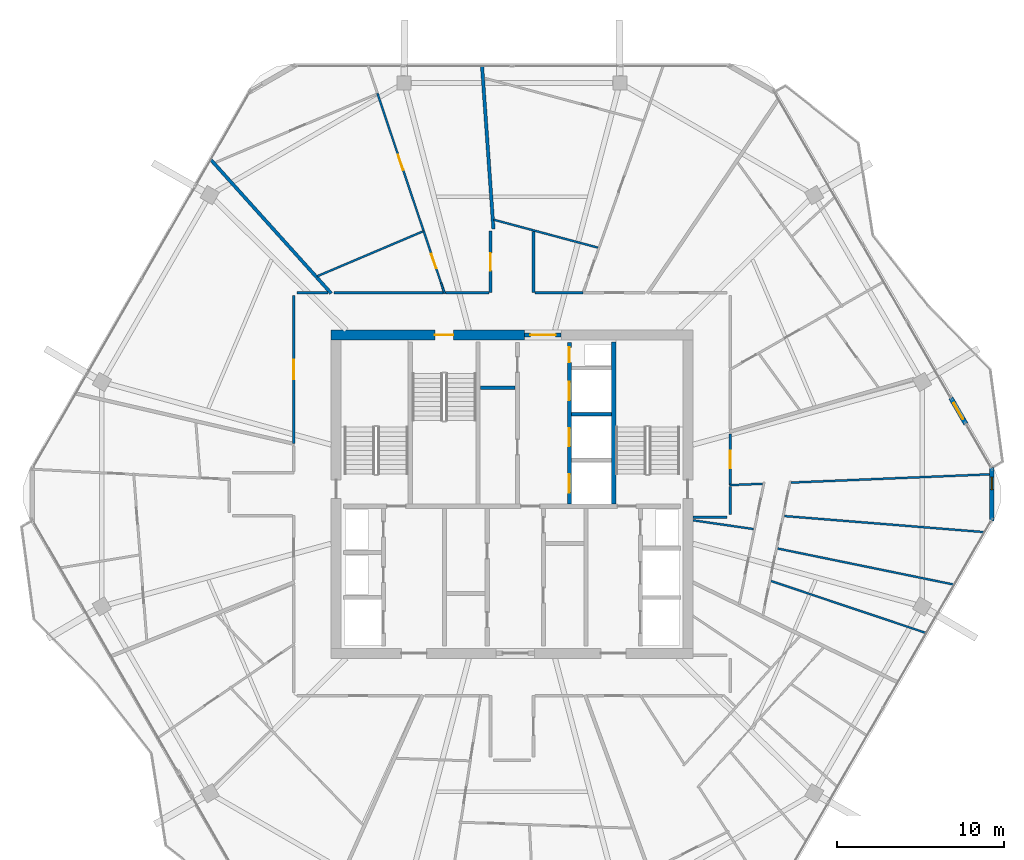
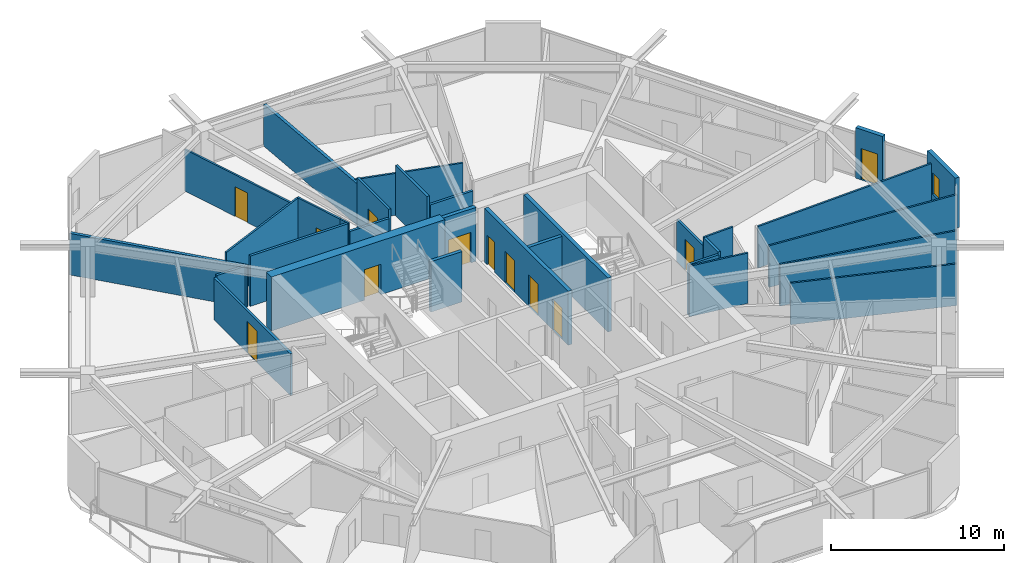
# One storey, part 21 of 26: 31 walls, 12 doors, 1 window, 13 openings.
"""IFC4 building model written with IfcOpenShell, lengths in metres."""

from ifc_helpers import new_model, si_unit, direction, frame, frame_2d, origin, place, context, subcontext, project, spatial, rectangle, extrude, material, layer, layer_set, type_object, element, fill, save


model = new_model("IFC4")

# Units and contexts
model_context = context("Model", 3, precision=1e-05, world=origin(), true_north=direction((0.0, 1.0)))
body_context = subcontext(model_context, "Body", "Model", "MODEL_VIEW")
ifc_project = project(units=[si_unit("LENGTHUNIT", "METRE"), si_unit("AREAUNIT", "SQUARE_METRE"), si_unit("VOLUMEUNIT", "CUBIC_METRE"), si_unit("PLANEANGLEUNIT", "RADIAN"), si_unit("MASSUNIT", "GRAM", prefix="KILO")], contexts=[model_context])

# Site, building, storey
site_placement = place(None, origin())
site = spatial("IfcSite", under=ifc_project, at=site_placement, CompositionType="ELEMENT")
building_placement = place(site_placement, origin())
building = spatial("IfcBuilding", under=site, at=building_placement, Name="Zuhravey Tower", CompositionType="ELEMENT")
storey_placement = place(building_placement, frame((0.0, 0.0, 295.800048828125)))
storey = spatial("IfcBuildingStorey", under=building, at=storey_placement, Name="L75", CompositionType="ELEMENT", Elevation=295.800048828125)

# Wall, opening, door
ifc_material_1 = material(Name="Concrete C50/60", Category="concrete")
ifc_layer_1 = layer(ifc_material_1, 0.60009765625)
ifc_layer_set_1 = layer_set([ifc_layer_1], Name="Concrete C50/60")
wall_type_1 = type_object("IfcWallType", Name="Core Shear Wall 600", PredefinedType="SHEAR", material=ifc_layer_set_1)
wall_1_placement = place(storey_placement, frame((36.75, 41.5, 0.0), z_axis=(0.0, 0.0, 1.0), x_axis=(-1.0, 0.0, 0.0)))
wall_1 = element("IfcWall", 1, at=wall_1_placement, inside=storey, type_object=wall_type_1, Name="L75 North-West Core Shear Wall CW60", PredefinedType="SHEAR", context=body_context, shape_type="SweptSolid", body=[
    extrude(rectangle(XDim=11.550048828125, YDim=0.60009765625, at=frame_2d((5.77490234375, 0.0))), origin(), (0.0, 0.0, 1.0), 3.800048828125),
])
opening_1_placement = place(wall_1_placement, frame((4.25, 0.0, 0.0)))
opening_1 = element("IfcOpeningElement", 2, at=opening_1_placement, cuts=wall_1, Name="Opening STD1", PredefinedType="OPENING", context=body_context, shape_type="SweptSolid", body=[
    extrude(rectangle(XDim=1.10009765625, YDim=2.14990234375, at=frame_2d((0.550048828125, 1.074951171875))), frame((0.0, 0.31201171875, 0.0), z_axis=(0.0, -1.0, 0.0), x_axis=(1.0, 0.0, 0.0)), (0.0, 0.0, 1.0), 0.6240234375),
])
ifc_material_2 = material(Name="Galvanised fire-rated steel leaf", Category="steel")
door_type_1 = type_object("IfcDoorType", Name="Protected Stair Fire Door 1100x2150", OperationType="NOTDEFINED", PredefinedType="USERDEFINED", material=ifc_material_2)
door_1_placement = place(opening_1_placement, origin())
door_1 = element("IfcDoor", 3, at=door_1_placement, inside=storey, type_object=door_type_1, Name="L75 Stair ST3 Door", ObjectType="EXITDOOR", OperationType="SINGLE_SWING_LEFT", OverallHeight=2.14990234375, OverallWidth=1.10009765625, PredefinedType="USERDEFINED", context=body_context, shape_type="SweptSolid", body=[
    extrude(rectangle(XDim=1.10009765625, YDim=2.14990234375, at=frame_2d((0.550048828125, 1.074951171875))), frame((0.0, 0.02490234375, 0.0), z_axis=(0.0, -1.0, 0.0), x_axis=(1.0, 0.0, 0.0)), (0.0, 0.0, 1.0), 0.050048828125),
])
fill(opening_1, door_1)

ifc_material_3 = material(Name="Gypsum fire-rated stud partition")
ifc_layer_2 = layer(ifc_material_3, 0.159912109375)
ifc_layer_set_2 = layer_set([ifc_layer_2], Name="Gypsum fire-rated stud partition")
wall_type_2 = type_object("IfcWallType", Name="Corridor Fire Partition 160", PredefinedType="PARTITIONING", material=ifc_layer_set_2)
wall_2_placement = place(storey_placement, frame((49.030029296875, 32.5615234375, 0.0), z_axis=(0.0, 0.0, 1.0), x_axis=(0.0, 1.0, 0.0)))
wall_2 = element("IfcWall", 4, at=wall_2_placement, inside=storey, type_object=wall_type_2, Name="L75 IW16 Partition 038", PredefinedType="PARTITIONING", context=body_context, shape_type="SweptSolid", body=[
    extrude(rectangle(XDim=3.03125, YDim=0.159912109375, at=frame_2d((1.515625, 0.0))), origin(), (0.0, 0.0, 1.0), 2.949951171875),
])
opening_2_placement = place(wall_2_placement, frame((0.990478515625, 0.0, 0.0)))
opening_2 = element("IfcOpeningElement", 5, at=opening_2_placement, cuts=wall_2, Name="Opening APD1", PredefinedType="OPENING", context=body_context, shape_type="SweptSolid", body=[
    extrude(rectangle(XDim=1.050048828125, YDim=2.14990234375, at=frame_2d((0.52490234375, 1.074951171875))), frame((0.0, 0.092041015625, 0.0), z_axis=(0.0, -1.0, 0.0), x_axis=(1.0, 0.0, 0.0)), (0.0, 0.0, 1.0), 0.183837890625),
])
ifc_material_4 = material(Name="Solid-core oak fire-rated leaf")
door_type_2 = type_object("IfcDoorType", Name="Apartment Entrance Fire Door 1050x2150", OperationType="NOTDEFINED", PredefinedType="DOOR", material=ifc_material_4)
door_2_placement = place(opening_2_placement, frame((1.050048828125, 0.0, 0.0), z_axis=(0.0, 0.0, 1.0), x_axis=(-1.0, 0.0, 0.0)))
door_2 = element("IfcDoor", 6, at=door_2_placement, inside=storey, type_object=door_type_2, Name="L75 Door 038.1", OperationType="SINGLE_SWING_LEFT", OverallHeight=2.14990234375, OverallWidth=1.050048828125, PredefinedType="DOOR", context=body_context, shape_type="SweptSolid", body=[
    extrude(rectangle(XDim=1.050048828125, YDim=2.14990234375, at=frame_2d((0.52490234375, 1.074951171875))), frame((0.0, 0.02490234375, 0.0), z_axis=(0.0, -1.0, 0.0), x_axis=(1.0, 0.0, 0.0)), (0.0, 0.0, 1.0), 0.050048828125),
])
fill(opening_2, door_2)

wall_3_placement = place(storey_placement, frame((34.719970703125, 47.699951171875, 0.0), z_axis=(0.0, 0.0, 1.0), x_axis=(0.0, -1.0, 0.0)))
wall_3 = element("IfcWall", 7, at=wall_3_placement, inside=storey, type_object=wall_type_2, Name="L75 IW16 Partition 051", PredefinedType="PARTITIONING", context=body_context, shape_type="SweptSolid", body=[
    extrude(rectangle(XDim=3.669921875, YDim=0.159912109375, at=frame_2d((1.8349609375, 0.0))), origin(), (0.0, 0.0, 1.0), 3.550048828125),
])
opening_3_placement = place(wall_3_placement, frame((1.31005859375, 0.0, 0.0)))
opening_3 = element("IfcOpeningElement", 8, at=opening_3_placement, cuts=wall_3, Name="Opening APD1", PredefinedType="OPENING", context=body_context, shape_type="SweptSolid", body=[
    extrude(rectangle(XDim=1.050048828125, YDim=2.14990234375, at=frame_2d((0.52490234375, 1.074951171875))), frame((0.0, 0.092041015625, 0.0), z_axis=(0.0, -1.0, 0.0), x_axis=(1.0, 0.0, 0.0)), (0.0, 0.0, 1.0), 0.183837890625),
])
door_3_placement = place(opening_3_placement, frame((1.050048828125, 0.0, 0.0), z_axis=(0.0, 0.0, 1.0), x_axis=(-1.0, 0.0, 0.0)))
door_3 = element("IfcDoor", 9, at=door_3_placement, inside=storey, type_object=door_type_2, Name="L75 Door 051.1", OperationType="SINGLE_SWING_LEFT", OverallHeight=2.14990234375, OverallWidth=1.050048828125, PredefinedType="DOOR", context=body_context, shape_type="SweptSolid", body=[
    extrude(rectangle(XDim=1.050048828125, YDim=2.14990234375, at=frame_2d((0.52490234375, 1.074951171875))), frame((0.0, 0.02490234375, 0.0), z_axis=(0.0, -1.0, 0.0), x_axis=(1.0, 0.0, 0.0)), (0.0, 0.0, 1.0), 0.050048828125),
])
fill(opening_3, door_3)

wall_4_placement = place(storey_placement, frame((22.969970703125, 43.85009765625, 0.0), z_axis=(0.0, 0.0, 1.0), x_axis=(0.0, -1.0, 0.0)))
wall_4 = element("IfcWall", 10, at=wall_4_placement, inside=storey, type_object=wall_type_2, Name="L75 IW16 Partition 052", PredefinedType="PARTITIONING", context=body_context, shape_type="SweptSolid", body=[
    extrude(rectangle(XDim=8.8212890625, YDim=0.159912109375, at=frame_2d((4.41064453125, 0.0))), origin(), (0.0, 0.0, 1.0), 2.949951171875),
])
opening_4_placement = place(wall_4_placement, frame((3.835693359375, 0.0, 0.0)))
opening_4 = element("IfcOpeningElement", 11, at=opening_4_placement, cuts=wall_4, Name="Opening CLD1", PredefinedType="OPENING", context=body_context, shape_type="SweptSolid", body=[
    extrude(rectangle(XDim=1.14990234375, YDim=2.199951171875, at=frame_2d((0.574951171875, 1.10009765625))), frame((0.0, 0.092041015625, 0.0), z_axis=(0.0, -1.0, 0.0), x_axis=(1.0, 0.0, 0.0)), (0.0, 0.0, 1.0), 0.183837890625),
])
ifc_material_5 = material(Name="Acoustic timber leaf with vision lite", Category="wood")
door_type_3 = type_object("IfcDoorType", Name="Classroom Acoustic Door 1150x2200", OperationType="NOTDEFINED", PredefinedType="DOOR", material=ifc_material_5)
door_4_placement = place(opening_4_placement, frame((1.14990234375, 0.0, 0.0), z_axis=(0.0, 0.0, 1.0), x_axis=(-1.0, 0.0, 0.0)))
door_4 = element("IfcDoor", 12, at=door_4_placement, inside=storey, type_object=door_type_3, Name="L75 Door 052.1", OperationType="SINGLE_SWING_RIGHT", OverallHeight=2.199951171875, OverallWidth=1.14990234375, PredefinedType="DOOR", context=body_context, shape_type="SweptSolid", body=[
    extrude(rectangle(XDim=1.14990234375, YDim=2.199951171875, at=frame_2d((0.574951171875, 1.10009765625))), frame((0.0, 0.02490234375, 0.0), z_axis=(0.0, -1.0, 0.0), x_axis=(1.0, 0.0, 0.0)), (0.0, 0.0, 1.0), 0.050048828125),
])
fill(opening_4, door_4)

# Walls
wall_5_placement = place(storey_placement, frame((46.820068359375, 30.6201171875, 0.0), z_axis=(0.0, 0.0, 1.0), x_axis=(1.0, 0.0, 0.0)))
element("IfcWall", 13, at=wall_5_placement, inside=storey, type_object=wall_type_2, Name="L75 IW16 Partition 116", PredefinedType="PARTITIONING", context=body_context, shape_type="SweptSolid", body=[
    extrude(rectangle(XDim=2.030029296875, YDim=0.159912109375, at=frame_2d((1.01513671875, 0.0))), origin(), (0.0, 0.0, 1.0), 3.550048828125),
])
wall_6_placement = place(storey_placement, frame((49.030029296875, 30.800048828125, 0.0), z_axis=(0.0, 0.0, 1.0), x_axis=(0.0, 1.0, 0.0)))
element("IfcWall", 14, at=wall_6_placement, inside=storey, type_object=wall_type_2, Name="L75 IW16 Partition 117", PredefinedType="PARTITIONING", context=body_context, shape_type="SweptSolid", body=[
    extrude(rectangle(XDim=1.67333984375, YDim=0.159912109375, at=frame_2d((0.836669921875, 0.0))), origin(), (0.0, 0.0, 1.0), 3.550048828125),
])
wall_7_placement = place(storey_placement, frame((37.280029296875, 44.030029296875, 0.0), z_axis=(0.0, 0.0, 1.0), x_axis=(0.0, 1.0, 0.0)))
element("IfcWall", 15, at=wall_7_placement, inside=storey, type_object=wall_type_2, Name="L75 IW16 Partition 120", PredefinedType="PARTITIONING", context=body_context, shape_type="SweptSolid", body=[
    extrude(rectangle(XDim=3.651123046875, YDim=0.159912109375, at=frame_2d((1.82568359375, 0.0))), origin(), (0.0, 0.0, 1.0), 3.550048828125),
])
wall_8_placement = place(storey_placement, frame((40.224609375, 44.030029296875, 0.0), z_axis=(0.0, 0.0, 1.0), x_axis=(-1.0, 0.0, 0.0)))
element("IfcWall", 16, at=wall_8_placement, inside=storey, type_object=wall_type_2, Name="L75 IW16 Partition 121", PredefinedType="PARTITIONING", context=body_context, shape_type="SweptSolid", body=[
    extrude(rectangle(XDim=2.856689453125, YDim=0.159912109375, at=frame_2d((1.42822265625, 0.0))), origin(), (0.0, 0.0, 1.0), 2.949951171875),
])
wall_9_placement = place(storey_placement, frame((34.632080078125, 44.030029296875, 0.0), z_axis=(0.0, 0.0, 1.0), x_axis=(-1.0, 0.0, 0.0)))
element("IfcWall", 17, at=wall_9_placement, inside=storey, type_object=wall_type_2, Name="L75 IW16 Partition 122", PredefinedType="PARTITIONING", context=body_context, shape_type="SweptSolid", body=[
    extrude(rectangle(XDim=2.599365234375, YDim=0.159912109375, at=frame_2d((1.2998046875, 0.0))), origin(), (0.0, 0.0, 1.0), 2.949951171875),
])
wall_10_placement = place(storey_placement, frame((31.88916015625, 44.030029296875, 0.0), z_axis=(0.0, 0.0, 1.0), x_axis=(-1.0, 0.0, 0.0)))
element("IfcWall", 18, at=wall_10_placement, inside=storey, type_object=wall_type_2, Name="L75 IW16 Partition 123", PredefinedType="PARTITIONING", context=body_context, shape_type="SweptSolid", body=[
    extrude(rectangle(XDim=6.505615234375, YDim=0.159912109375, at=frame_2d((3.2529296875, 0.0))), origin(), (0.0, 0.0, 1.0), 3.550048828125),
])
wall_11_placement = place(storey_placement, frame((25.02294921875, 44.030029296875, 0.0), z_axis=(0.0, 0.0, 1.0), x_axis=(-1.0, 0.0, 0.0)))
element("IfcWall", 19, at=wall_11_placement, inside=storey, type_object=wall_type_2, Name="L75 IW16 Partition 124", PredefinedType="PARTITIONING", context=body_context, shape_type="SweptSolid", body=[
    extrude(rectangle(XDim=1.873046875, YDim=0.159912109375, at=frame_2d((0.9365234375, 0.0))), origin(), (0.0, 0.0, 1.0), 2.949951171875),
])

# Wall, opening, door
ifc_material_6 = material(Name="Precast concrete C40/50", Category="concrete")
ifc_layer_3 = layer(ifc_material_6, 0.280029296875)
ifc_layer_set_3 = layer_set([ifc_layer_3], Name="Precast concrete C40/50")
wall_type_3 = type_object("IfcWallType", Name="Crown Architectural Wall 280", PredefinedType="SOLIDWALL", material=ifc_layer_set_3)
wall_12_placement = place(storey_placement, frame((62.202392578125, 37.74365234375, 0.0), z_axis=(0.0, 0.0, 1.0), x_axis=(0.499982180423, -0.866035691677, 0.0)))
wall_12 = element("IfcWall", 20, at=wall_12_placement, inside=storey, type_object=wall_type_3, Name="L75 Face 1 Facade Pier EW28-1", PredefinedType="SOLIDWALL", context=body_context, shape_type="SweptSolid", body=[
    extrude(rectangle(XDim=1.7900390625, YDim=0.280029296875, at=frame_2d((0.89501953125, 0.0))), origin(), (0.0, 0.0, 1.0), 3.550048828125),
])
opening_5_placement = place(wall_12_placement, frame((0.344970703125, 0.0, 0.0)))
opening_5 = element("IfcOpeningElement", 21, at=opening_5_placement, cuts=wall_12, Name="Opening BLD1", PredefinedType="OPENING", context=body_context, shape_type="SweptSolid", body=[
    extrude(rectangle(XDim=1.10009765625, YDim=2.199951171875, at=frame_2d((0.550048828125, 1.10009765625))), frame((0.0, 0.152099609375, 0.0), z_axis=(0.0, -1.0, 0.0), x_axis=(1.0, 0.0, 0.0)), (0.0, 0.0, 1.0), 0.303955078125),
])
ifc_material_7 = material(Name="Thermally broken aluminium and low-E glass", Category="aluminium")
door_type_4 = type_object("IfcDoorType", Name="Balcony & Sky-Tray Glazed Door 1100x2200", OperationType="NOTDEFINED", PredefinedType="DOOR", material=ifc_material_7)
door_5_placement = place(opening_5_placement, frame((1.10009765625, 0.0, 0.0), z_axis=(0.0, 0.0, 1.0), x_axis=(-1.0, 0.0, 0.0)))
door_5 = element("IfcDoor", 22, at=door_5_placement, inside=storey, type_object=door_type_4, Name="L75 Face 1 Wave Balcony Door", OperationType="SINGLE_SWING_RIGHT", OverallHeight=2.199951171875, OverallWidth=1.10009765625, PredefinedType="DOOR", context=body_context, shape_type="SweptSolid", body=[
    extrude(rectangle(XDim=1.10009765625, YDim=2.199951171875, at=frame_2d((0.550048828125, 1.10009765625))), frame((0.0, 0.02490234375, 0.0), z_axis=(0.0, -1.0, 0.0), x_axis=(1.0, 0.0, 0.0)), (0.0, 0.0, 1.0), 0.050048828125),
])
fill(opening_5, door_5)

# Wall, opening, window
wall_13_placement = place(storey_placement, frame((64.64501953125, 33.607421875, 0.0), z_axis=(0.0, 0.0, 1.0), x_axis=(0.0, -1.0, 0.0)))
wall_13 = element("IfcWall", 23, at=wall_13_placement, inside=storey, type_object=wall_type_3, Name="L75 Rounded Corner Closure Wall EW28-12", PredefinedType="SOLIDWALL", context=body_context, shape_type="SweptSolid", body=[
    extrude(rectangle(XDim=3.21484375, YDim=0.280029296875, at=frame_2d((1.607421875, 0.0))), origin(), (0.0, 0.0, 1.0), 3.550048828125),
])
opening_6_placement = place(wall_13_placement, frame((0.58935546875, 0.0, 0.85009765625)))
opening_6 = element("IfcOpeningElement", 24, at=opening_6_placement, cuts=wall_13, Name="Opening WN5", PredefinedType="OPENING", context=body_context, shape_type="SweptSolid", body=[
    extrude(rectangle(XDim=0.75, YDim=1.5, at=frame_2d((0.375, 0.75))), frame((0.0, 0.152099609375, 0.0), z_axis=(0.0, -1.0, 0.0), x_axis=(1.0, 0.0, 0.0)), (0.0, 0.0, 1.0), 0.303955078125),
])
ifc_material_8 = material(Name="Thermally broken aluminium and triple low-E glass", Category="aluminium")
window_type = type_object("IfcWindowType", Name="Residential Corner Casement Window 750x1500", PartitioningType="SINGLE_PANEL", PredefinedType="WINDOW", material=ifc_material_8)
window_placement = place(opening_6_placement, origin())
window = element("IfcWindow", 25, at=window_placement, inside=storey, type_object=window_type, Name="L75 Corner Casement Window WN5-12.1", OverallHeight=1.5, OverallWidth=0.75, PartitioningType="SINGLE_PANEL", PredefinedType="WINDOW", context=body_context, shape_type="SweptSolid", body=[
    extrude(rectangle(XDim=0.75, YDim=1.5, at=frame_2d((0.375, 0.75))), frame((0.0, 0.030029296875, 0.0), z_axis=(0.0, -1.0, 0.0), x_axis=(1.0, 0.0, 0.0)), (0.0, 0.0, 1.0), 0.06005859375),
])
fill(opening_6, window)

# Wall, opening, door
ifc_layer_4 = layer(ifc_material_1, 0.25)
ifc_layer_set_4 = layer_set([ifc_layer_4], Name="Concrete C50/60")
wall_type_4 = type_object("IfcWallType", Name="Firefighting Shaft & Stair Wall 250", PredefinedType="SOLIDWALL", material=ifc_layer_set_4)
wall_14_placement = place(storey_placement, frame((36.760009765625, 41.5, 0.0), z_axis=(0.0, 0.0, 1.0), x_axis=(1.0, 0.0, 0.0)))
wall_14 = element("IfcWall", 26, at=wall_14_placement, inside=storey, type_object=wall_type_4, Name="L75 FW25 Shaft Wall 002", PredefinedType="SOLIDWALL", context=body_context, shape_type="SweptSolid", body=[
    extrude(rectangle(XDim=2.179931640625, YDim=0.25, at=frame_2d((1.08984375, 0.0))), origin(), (0.0, 0.0, 1.0), 3.800048828125),
])
opening_7_placement = place(wall_14_placement, frame((0.340087890625, 0.0, 0.0)))
opening_7 = element("IfcOpeningElement", 27, at=opening_7_placement, cuts=wall_14, Name="Opening FFD1", PredefinedType="OPENING", context=body_context, shape_type="SweptSolid", body=[
    extrude(rectangle(XDim=1.5, YDim=2.14990234375, at=frame_2d((0.75, 1.074951171875))), frame((0.0, 0.136962890625, 0.0), z_axis=(0.0, -1.0, 0.0), x_axis=(1.0, 0.0, 0.0)), (0.0, 0.0, 1.0), 0.27392578125),
])
door_type_5 = type_object("IfcDoorType", Name="Firefighting Lobby Double Door 1500x2150", OperationType="DOUBLE_DOOR_SINGLE_SWING", PredefinedType="DOOR", material=ifc_material_2)
door_6_placement = place(opening_7_placement, origin())
door_6 = element("IfcDoor", 28, at=door_6_placement, inside=storey, type_object=door_type_5, Name="L75 North Lift Lobby Exit Door", OperationType="DOUBLE_DOOR_SINGLE_SWING", OverallHeight=2.14990234375, OverallWidth=1.5, PredefinedType="DOOR", context=body_context, shape_type="SweptSolid", body=[
    extrude(rectangle(XDim=1.5, YDim=2.14990234375, at=frame_2d((0.75, 1.074951171875))), frame((0.0, 0.02490234375, 0.0), z_axis=(0.0, -1.0, 0.0), x_axis=(1.0, 0.0, 0.0)), (0.0, 0.0, 1.0), 0.050048828125),
])
fill(opening_7, door_6)

# Wall
wall_15_placement = place(storey_placement, frame((42.074951171875, 31.39990234375, 0.0), z_axis=(0.0, 0.0, 1.0), x_axis=(0.0, 1.0, 0.0)))
element("IfcWall", 29, at=wall_15_placement, inside=storey, type_object=wall_type_4, Name="L75 FW25 Shaft Wall 006", PredefinedType="SOLIDWALL", context=body_context, shape_type="SweptSolid", body=[
    extrude(rectangle(XDim=9.7001953125, YDim=0.25, at=frame_2d((4.85009765625, 0.0))), origin(), (0.0, 0.0, 1.0), 3.800048828125),
])

# Wall, openings, doors
wall_16_placement = place(storey_placement, frame((39.425048828125, 31.39990234375, 0.0), z_axis=(0.0, 0.0, 1.0), x_axis=(0.0, 1.0, 0.0)))
wall_16 = element("IfcWall", 30, at=wall_16_placement, inside=storey, type_object=wall_type_4, Name="L75 FW25 Shaft Wall 008", PredefinedType="SOLIDWALL", context=body_context, shape_type="SweptSolid", body=[
    extrude(rectangle(XDim=9.650146484375, YDim=0.25, at=frame_2d((4.8251953125, 0.0))), origin(), (0.0, 0.0, 1.0), 3.800048828125),
])
opening_8_placement = place(wall_16_placement, frame((0.699951171875, 0.0, 0.0)))
opening_8 = element("IfcOpeningElement", 31, at=opening_8_placement, cuts=wall_16, Name="Opening LD1", PredefinedType="OPENING", context=body_context, shape_type="SweptSolid", body=[
    extrude(rectangle(XDim=1.10009765625, YDim=2.199951171875, at=frame_2d((0.550048828125, 1.10009765625))), frame((0.0, 0.136962890625, 0.0), z_axis=(0.0, -1.0, 0.0), x_axis=(1.0, 0.0, 0.0)), (0.0, 0.0, 1.0), 0.27392578125),
])
opening_9_placement = place(wall_16_placement, frame((3.449951171875, 0.0, 0.0)))
opening_9 = element("IfcOpeningElement", 32, at=opening_9_placement, cuts=wall_16, Name="Opening LD1", PredefinedType="OPENING", context=body_context, shape_type="SweptSolid", body=[
    extrude(rectangle(XDim=1.10009765625, YDim=2.199951171875, at=frame_2d((0.550048828125, 1.10009765625))), frame((0.0, 0.136962890625, 0.0), z_axis=(0.0, -1.0, 0.0), x_axis=(1.0, 0.0, 0.0)), (0.0, 0.0, 1.0), 0.27392578125),
])
opening_10_placement = place(wall_16_placement, frame((6.199951171875, 0.0, 0.0)))
opening_10 = element("IfcOpeningElement", 33, at=opening_10_placement, cuts=wall_16, Name="Opening LD1", PredefinedType="OPENING", context=body_context, shape_type="SweptSolid", body=[
    extrude(rectangle(XDim=1.10009765625, YDim=2.199951171875, at=frame_2d((0.550048828125, 1.10009765625))), frame((0.0, 0.136962890625, 0.0), z_axis=(0.0, -1.0, 0.0), x_axis=(1.0, 0.0, 0.0)), (0.0, 0.0, 1.0), 0.27392578125),
])
opening_11_placement = place(wall_16_placement, frame((8.469970703125, 0.0, 0.0)))
opening_11 = element("IfcOpeningElement", 34, at=opening_11_placement, cuts=wall_16, Name="Opening RSD1", PredefinedType="OPENING", context=body_context, shape_type="SweptSolid", body=[
    extrude(rectangle(XDim=0.89990234375, YDim=2.10009765625, at=frame_2d((0.449951171875, 1.050048828125))), frame((0.0, 0.136962890625, 0.0), z_axis=(0.0, -1.0, 0.0), x_axis=(1.0, 0.0, 0.0)), (0.0, 0.0, 1.0), 0.27392578125),
])
ifc_material_9 = material(Name="Brushed stainless steel", Category="steel")
door_type_6 = type_object("IfcDoorType", Name="Lift Landing Sliding Door 1100x2200", OperationType="DOUBLE_DOOR_SLIDING", PredefinedType="DOOR", material=ifc_material_9)
door_7_placement = place(opening_8_placement, origin())
door_7 = element("IfcDoor", 35, at=door_7_placement, inside=storey, type_object=door_type_6, Name="L75 Lift PL7 Landing Door", OperationType="DOUBLE_DOOR_SLIDING", OverallHeight=2.199951171875, OverallWidth=1.10009765625, PredefinedType="DOOR", context=body_context, shape_type="SweptSolid", body=[
    extrude(rectangle(XDim=1.10009765625, YDim=2.199951171875, at=frame_2d((0.550048828125, 1.10009765625))), frame((0.0, 0.02490234375, 0.0), z_axis=(0.0, -1.0, 0.0), x_axis=(1.0, 0.0, 0.0)), (0.0, 0.0, 1.0), 0.050048828125),
])
fill(opening_8, door_7)
door_8_placement = place(opening_9_placement, origin())
door_8 = element("IfcDoor", 36, at=door_8_placement, inside=storey, type_object=door_type_6, Name="L75 Lift PL8 Landing Door", OperationType="DOUBLE_DOOR_SLIDING", OverallHeight=2.199951171875, OverallWidth=1.10009765625, PredefinedType="DOOR", context=body_context, shape_type="SweptSolid", body=[
    extrude(rectangle(XDim=1.10009765625, YDim=2.199951171875, at=frame_2d((0.550048828125, 1.10009765625))), frame((0.0, 0.02490234375, 0.0), z_axis=(0.0, -1.0, 0.0), x_axis=(1.0, 0.0, 0.0)), (0.0, 0.0, 1.0), 0.050048828125),
])
fill(opening_9, door_8)
door_9_placement = place(opening_10_placement, origin())
door_9 = element("IfcDoor", 37, at=door_9_placement, inside=storey, type_object=door_type_6, Name="L75 Lift PL9 Landing Door", OperationType="DOUBLE_DOOR_SLIDING", OverallHeight=2.199951171875, OverallWidth=1.10009765625, PredefinedType="DOOR", context=body_context, shape_type="SweptSolid", body=[
    extrude(rectangle(XDim=1.10009765625, YDim=2.199951171875, at=frame_2d((0.550048828125, 1.10009765625))), frame((0.0, 0.02490234375, 0.0), z_axis=(0.0, -1.0, 0.0), x_axis=(1.0, 0.0, 0.0)), (0.0, 0.0, 1.0), 0.050048828125),
])
fill(opening_10, door_9)
ifc_material_10 = material(Name="Galvanised fire-rated steel access leaf", Category="steel")
door_type_7 = type_object("IfcDoorType", Name="Riser & Shaft Access Fire Door 900x2100", OperationType="NOTDEFINED", PredefinedType="DOOR", material=ifc_material_10)
door_10_placement = place(opening_11_placement, origin())
door_10 = element("IfcDoor", 38, at=door_10_placement, inside=storey, type_object=door_type_7, Name="L75 North Riser Door", OperationType="SINGLE_SWING_LEFT", OverallHeight=2.10009765625, OverallWidth=0.89990234375, PredefinedType="DOOR", context=body_context, shape_type="SweptSolid", body=[
    extrude(rectangle(XDim=0.89990234375, YDim=2.10009765625, at=frame_2d((0.449951171875, 1.050048828125))), frame((0.0, 0.02490234375, 0.0), z_axis=(0.0, -1.0, 0.0), x_axis=(1.0, 0.0, 0.0)), (0.0, 0.0, 1.0), 0.050048828125),
])
fill(opening_11, door_10)

# Walls
ifc_material_11 = material(Name="Gypsum double-stud party assembly")
ifc_layer_5 = layer(ifc_material_11, 0.199951171875)
ifc_layer_set_5 = layer_set([ifc_layer_5], Name="Gypsum double-stud party assembly")
wall_type_5 = type_object("IfcWallType", Name="Inter-Tenancy Party Wall 200", PredefinedType="PARTITIONING", material=ifc_layer_set_5)
wall_17_placement = place(storey_placement, frame((34.892333984375, 47.839599609375, 0.0), z_axis=(0.0, 0.0, 1.0), x_axis=(-0.069751864863, 0.997564372533, 0.0)))
element("IfcWall", 39, at=wall_17_placement, inside=storey, type_object=wall_type_5, Name="L75 IW20 Partition 097", PredefinedType="PARTITIONING", context=body_context, shape_type="SweptSolid", body=[
    extrude(rectangle(XDim=9.747802734375, YDim=0.199951171875, at=frame_2d((4.8740234375, 0.0))), origin(), (0.0, 0.0, 1.0), 2.929931640625),
])
wall_18_placement = place(storey_placement, frame((25.2041015625, 43.989990234375, 0.0), z_axis=(0.0, 0.0, 1.0), x_axis=(-0.669124143022, 0.743150645041, 0.0)))
element("IfcWall", 40, at=wall_18_placement, inside=storey, type_object=wall_type_5, Name="L75 IW20 Partition 101", PredefinedType="PARTITIONING", context=body_context, shape_type="SweptSolid", body=[
    extrude(rectangle(XDim=10.744873046875, YDim=0.199951171875, at=frame_2d((5.37255859375, 0.0))), origin(), (0.0, 0.0, 1.0), 2.929931640625),
])
ifc_material_12 = material(Name="Gypsum acoustic stud assembly")
ifc_layer_6 = layer(ifc_material_12, 0.219970703125)
ifc_layer_set_6 = layer_set([ifc_layer_6], Name="Gypsum acoustic stud assembly")
wall_type_6 = type_object("IfcWallType", Name="School Acoustic Compartment Wall 220", PredefinedType="PARTITIONING", material=ifc_layer_set_6)
wall_19_placement = place(storey_placement, frame((34.10791015625, 38.35009765625, 0.0), z_axis=(0.0, 0.0, 1.0), x_axis=(1.0, 0.0, 0.0)))
element("IfcWall", 41, at=wall_19_placement, inside=storey, type_object=wall_type_6, Name="L75 IW22 Partition 058", PredefinedType="PARTITIONING", context=body_context, shape_type="SweptSolid", body=[
    extrude(rectangle(XDim=2.083984375, YDim=0.219970703125, at=frame_2d((1.0419921875, 0.0))), origin(), (0.0, 0.0, 1.0), 3.550048828125),
])
wall_20_placement = place(storey_placement, frame((39.55810546875, 36.77490234375, 0.0), z_axis=(0.0, 0.0, 1.0), x_axis=(1.0, 0.0, 0.0)))
element("IfcWall", 42, at=wall_20_placement, inside=storey, type_object=wall_type_6, Name="L75 IW22 Partition 060", PredefinedType="PARTITIONING", context=body_context, shape_type="SweptSolid", body=[
    extrude(rectangle(XDim=2.3837890625, YDim=0.219970703125, at=frame_2d((1.19189453125, 0.0))), origin(), (0.0, 0.0, 1.0), 3.550048828125),
])

# Wall, opening, door
ifc_material_13 = material(Name="Gypsum metal-stud partition")
ifc_layer_7 = layer(ifc_material_13, 0.1201171875)
ifc_layer_set_7 = layer_set([ifc_layer_7], Name="Gypsum metal-stud partition")
wall_type_7 = type_object("IfcWallType", Name="Unit Internal Partition 120", PredefinedType="PARTITIONING", material=ifc_layer_set_7)
wall_21_placement = place(storey_placement, frame((31.769287109375, 44.60009765625, 0.0), z_axis=(0.0, 0.0, 1.0), x_axis=(-0.318310652393, 0.947986460121, 0.0)))
wall_21 = element("IfcWall", 43, at=wall_21_placement, inside=storey, type_object=wall_type_7, Name="L75 IW12 Partition 048", PredefinedType="PARTITIONING", context=body_context, shape_type="SweptSolid", body=[
    extrude(rectangle(XDim=3.30419921875, YDim=0.1201171875, at=frame_2d((1.652099609375, 0.0))), origin(), (0.0, 0.0, 1.0), 3.550048828125),
])
opening_12_placement = place(wall_21_placement, frame((0.937744140625, 0.0, 0.0)))
opening_12 = element("IfcOpeningElement", 44, at=opening_12_placement, cuts=wall_21, Name="Opening WCD1", PredefinedType="OPENING", context=body_context, shape_type="SweptSolid", body=[
    extrude(rectangle(XDim=0.89990234375, YDim=2.10009765625, at=frame_2d((0.449951171875, 1.050048828125))), frame((0.0, 0.072021484375, 0.0), z_axis=(0.0, -1.0, 0.0), x_axis=(1.0, 0.0, 0.0)), (0.0, 0.0, 1.0), 0.14404296875),
])
ifc_material_14 = material(Name="Moisture-resistant timber leaf", Category="wood")
door_type_8 = type_object("IfcDoorType", Name="Bathroom & WC Internal Door 900x2100", OperationType="NOTDEFINED", PredefinedType="DOOR", material=ifc_material_14)
door_11_placement = place(opening_12_placement, origin())
door_11 = element("IfcDoor", 45, at=door_11_placement, inside=storey, type_object=door_type_8, Name="Apartment L75-07 Bathroom Door", OperationType="SINGLE_SWING_RIGHT", OverallHeight=2.10009765625, OverallWidth=0.89990234375, PredefinedType="DOOR", context=body_context, shape_type="SweptSolid", body=[
    extrude(rectangle(XDim=0.89990234375, YDim=2.10009765625, at=frame_2d((0.449951171875, 1.050048828125))), frame((0.0, 0.02490234375, 0.0), z_axis=(0.0, -1.0, 0.0), x_axis=(1.0, 0.0, 0.0)), (0.0, 0.0, 1.0), 0.050048828125),
])
fill(opening_12, door_11)

wall_22_placement = place(storey_placement, frame((30.7177734375, 47.732421875, 0.0), z_axis=(0.0, 0.0, 1.0), x_axis=(-0.318318636233, 0.947983779306, 0.0)))
wall_22 = element("IfcWall", 46, at=wall_22_placement, inside=storey, type_object=wall_type_7, Name="L75 IW12 Partition 049", PredefinedType="PARTITIONING", context=body_context, shape_type="SweptSolid", body=[
    extrude(rectangle(XDim=8.649169921875, YDim=0.1201171875, at=frame_2d((4.32470703125, 0.0))), origin(), (0.0, 0.0, 1.0), 2.929931640625),
])
opening_13_placement = place(wall_22_placement, frame((3.824462890625, 0.0, 0.0)))
opening_13 = element("IfcOpeningElement", 47, at=opening_13_placement, cuts=wall_22, Name="Opening IND1", PredefinedType="OPENING", context=body_context, shape_type="SweptSolid", body=[
    extrude(rectangle(XDim=0.949951171875, YDim=2.10009765625, at=frame_2d((0.47509765625, 1.050048828125))), frame((0.0, 0.072021484375, 0.0), z_axis=(0.0, -1.0, 0.0), x_axis=(1.0, 0.0, 0.0)), (0.0, 0.0, 1.0), 0.14404296875),
])
ifc_material_15 = material(Name="Painted engineered timber leaf", Category="wood")
door_type_9 = type_object("IfcDoorType", Name="Internal Room & Bedroom Door 950x2100", OperationType="NOTDEFINED", PredefinedType="DOOR", material=ifc_material_15)
door_12_placement = place(opening_13_placement, origin())
door_12 = element("IfcDoor", 48, at=door_12_placement, inside=storey, type_object=door_type_9, Name="Apartment L75-07 Home Office Door", OperationType="SINGLE_SWING_LEFT", OverallHeight=2.10009765625, OverallWidth=0.949951171875, PredefinedType="DOOR", context=body_context, shape_type="SweptSolid", body=[
    extrude(rectangle(XDim=0.949951171875, YDim=2.10009765625, at=frame_2d((0.47509765625, 1.050048828125))), frame((0.0, 0.02490234375, 0.0), z_axis=(0.0, -1.0, 0.0), x_axis=(1.0, 0.0, 0.0)), (0.0, 0.0, 1.0), 0.050048828125),
])
fill(opening_13, door_12)

# Walls
wall_23_placement = place(storey_placement, frame((46.80810546875, 30.439697265625, 0.0), z_axis=(0.0, 0.0, 1.0), x_axis=(0.989743218854, -0.142857833988, 0.0)))
element("IfcWall", 49, at=wall_23_placement, inside=storey, type_object=wall_type_7, Name="L75 IW12 Partition 081", PredefinedType="PARTITIONING", context=body_context, shape_type="SweptSolid", body=[
    extrude(rectangle(XDim=3.64013671875, YDim=0.1201171875, at=frame_2d((1.820068359375, 0.0))), origin(), (0.0, 0.0, 1.0), 3.550048828125),
])
wall_24_placement = place(storey_placement, frame((51.46630859375, 26.81591796875, 0.0), z_axis=(0.0, 0.0, 1.0), x_axis=(0.948160423288, -0.31779208881, 0.0)))
element("IfcWall", 50, at=wall_24_placement, inside=storey, type_object=wall_type_7, Name="L75 IW12 Partition 082", PredefinedType="PARTITIONING", context=body_context, shape_type="SweptSolid", body=[
    extrude(rectangle(XDim=9.78271484375, YDim=0.1201171875, at=frame_2d((4.891357421875, 0.0))), origin(), (0.0, 0.0, 1.0), 2.929931640625),
])
wall_25_placement = place(storey_placement, frame((51.863037109375, 28.75537109375, 0.0), z_axis=(0.0, 0.0, 1.0), x_axis=(0.979715741748, -0.20039227872, 0.0)))
element("IfcWall", 51, at=wall_25_placement, inside=storey, type_object=wall_type_7, Name="L75 IW12 Partition 083", PredefinedType="PARTITIONING", context=body_context, shape_type="SweptSolid", body=[
    extrude(rectangle(XDim=10.766357421875, YDim=0.1201171875, at=frame_2d((5.38330078125, 0.0))), origin(), (0.0, 0.0, 1.0), 2.929931640625),
])
wall_26_placement = place(storey_placement, frame((52.259765625, 30.694580078125, 0.0), z_axis=(0.0, 0.0, 1.0), x_axis=(0.996793701051, -0.08001448335, 0.0)))
element("IfcWall", 52, at=wall_26_placement, inside=storey, type_object=wall_type_7, Name="L75 IW12 Partition 084", PredefinedType="PARTITIONING", context=body_context, shape_type="SweptSolid", body=[
    extrude(rectangle(XDim=12.00048828125, YDim=0.1201171875, at=frame_2d((6.000244140625, 0.0))), origin(), (0.0, 0.0, 1.0), 2.929931640625),
])
wall_27_placement = place(storey_placement, frame((48.97998046875, 32.53955078125, 0.0), z_axis=(0.0, 0.0, 1.0), x_axis=(0.99914094067, 0.041441291939, 0.0)))
element("IfcWall", 53, at=wall_27_placement, inside=storey, type_object=wall_type_7, Name="L75 IW12 Partition 085", PredefinedType="PARTITIONING", context=body_context, shape_type="SweptSolid", body=[
    extrude(rectangle(XDim=1.9853515625, YDim=0.1201171875, at=frame_2d((0.99267578125, 0.0))), origin(), (0.0, 0.0, 1.0), 3.550048828125),
])
wall_28_placement = place(storey_placement, frame((52.66845703125, 32.69287109375, 0.0), z_axis=(0.0, 0.0, 1.0), x_axis=(0.999137501981, 0.041524115093, 0.0)))
element("IfcWall", 54, at=wall_28_placement, inside=storey, type_object=wall_type_7, Name="L75 IW12 Partition 086", PredefinedType="PARTITIONING", context=body_context, shape_type="SweptSolid", body=[
    extrude(rectangle(XDim=12.11767578125, YDim=0.1201171875, at=frame_2d((6.058837890625, 0.0))), origin(), (0.0, 0.0, 1.0), 2.929931640625),
])
wall_29_placement = place(storey_placement, frame((41.123779296875, 46.721435546875, 0.0), z_axis=(0.0, 0.0, 1.0), x_axis=(-0.965921169942, 0.258836422201, 0.0)))
element("IfcWall", 55, at=wall_29_placement, inside=storey, type_object=wall_type_7, Name="L75 IW12 Partition 096", PredefinedType="PARTITIONING", context=body_context, shape_type="SweptSolid", body=[
    extrude(rectangle(XDim=6.446044921875, YDim=0.1201171875, at=frame_2d((3.22314453125, 0.0))), origin(), (0.0, 0.0, 1.0), 2.949951171875),
])
wall_30_placement = place(storey_placement, frame((31.9755859375, 43.986328125, 0.0), z_axis=(0.0, 0.0, 1.0), x_axis=(-0.318602151733, 0.947888531902, 0.0)))
element("IfcWall", 56, at=wall_30_placement, inside=storey, type_object=wall_type_7, Name="L75 IW12 Partition 098", PredefinedType="PARTITIONING", context=body_context, shape_type="SweptSolid", body=[
    extrude(rectangle(XDim=0.6474609375, YDim=0.1201171875, at=frame_2d((0.32373046875, 0.0))), origin(), (0.0, 0.0, 1.0), 3.550048828125),
])
wall_31_placement = place(storey_placement, frame((30.662841796875, 47.68212890625, 0.0), z_axis=(0.0, 0.0, 1.0), x_axis=(-0.920511460817, -0.390715562148, 0.0)))
element("IfcWall", 57, at=wall_31_placement, inside=storey, type_object=wall_type_7, Name="L75 IW12 Partition 100", PredefinedType="PARTITIONING", context=body_context, shape_type="SweptSolid", body=[
    extrude(rectangle(XDim=6.847900390625, YDim=0.1201171875, at=frame_2d((3.423828125, 0.0))), origin(), (0.0, 0.0, 1.0), 3.550048828125),
])

save(model, "model.ifc")
